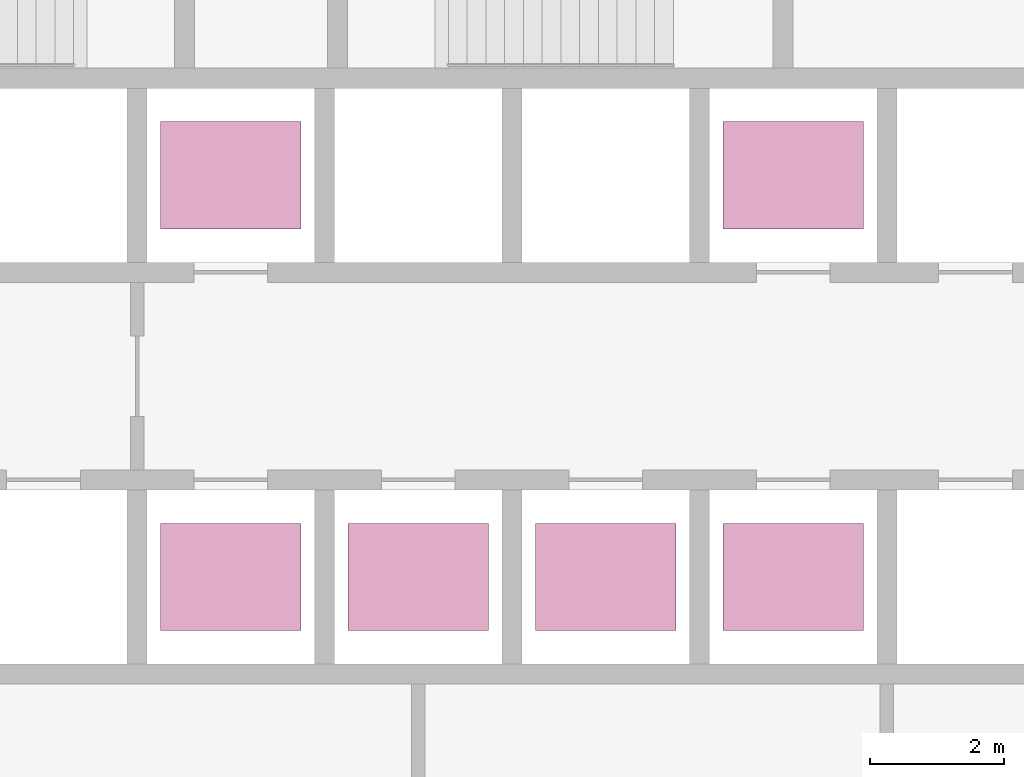
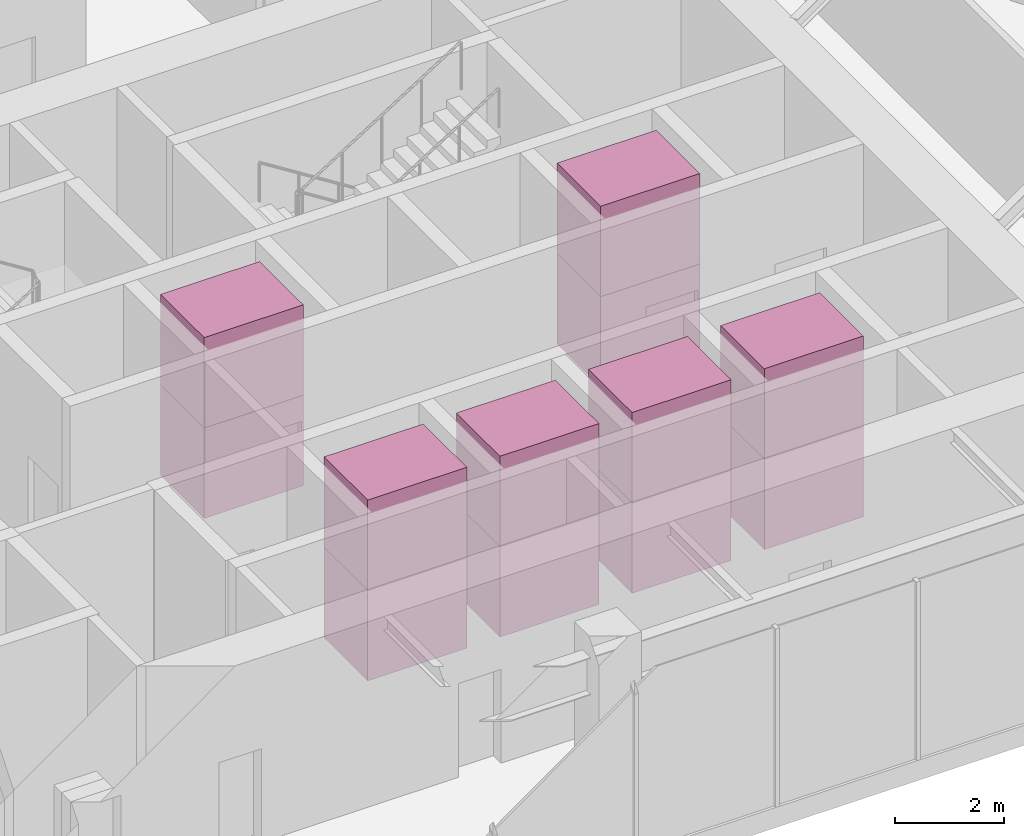
# One storey, part 23 of 23: 12 transport elements.
"""IFC4 building model written with IfcOpenShell, lengths in metres."""

import ifcopenshell
import ifcopenshell.guid

model = None  # the IFC model being written
_history = None  # IfcOwnerHistory: only IFC2X3 demands one
_inside = {}  # id of a spatial element -> (the spatial element, [elements in it])
_under = {}  # id of a project, library or spatial element -> (it, [spatial elements below it])
_declared = {}  # id of a project -> (the project, [libraries it declares])
_typed = {}  # id of a type object -> (the type object, [elements of that type])
_made_of = {}  # id of a material, layer set ... -> (it, [elements and type objects made of it])


def new_model(schema):
    """Start an empty IFC model of exactly this schema.

    Asked for "IFC4X3", IfcOpenShell would pick the latest addendum, in which some entities
    have other attributes; the version numbers below select the first issue.
    IFC2X3 requires an IfcOwnerHistory on every rooted entity: one is made here for all.
    """
    global model, _history
    if schema == "IFC4X3":
        model = ifcopenshell.file(schema_version=(4, 3, 0, 0))
    else:
        model = ifcopenshell.file(schema=schema)
    _inside.clear()
    _under.clear()
    _declared.clear()
    _typed.clear()
    _made_of.clear()
    _history = None
    if model.schema == "IFC2X3":
        org = make("IfcOrganization", Name="unknown")
        user = make(
            "IfcPersonAndOrganization",
            ThePerson=make("IfcPerson", FamilyName="unknown"),
            TheOrganization=org,
        )
        app = make(
            "IfcApplication",
            ApplicationDeveloper=org,
            Version="unknown",
            ApplicationFullName="unknown",
            ApplicationIdentifier="unknown",
        )
        _history = make(
            "IfcOwnerHistory",
            OwningUser=user,
            OwningApplication=app,
            ChangeAction="ADDED",
            CreationDate=0,
        )
    return model


def make(cls, **values):
    """One entity of the class cls with the attributes given. An attribute that is None is left unset."""
    return model.create_entity(
        cls, **{name: value for name, value in values.items() if value is not None}
    )


def rooted(cls, **values):
    """An entity with a GlobalId (a new one), such as an element, a storey or a relation."""
    return make(cls, GlobalId=ifcopenshell.guid.new(), OwnerHistory=_history, **values)


def si_unit(unit_type, name, prefix=None):
    """IfcSIUnit, for example si_unit("LENGTHUNIT", "METRE", prefix="MILLI")."""
    return make("IfcSIUnit", UnitType=unit_type, Prefix=prefix, Name=name)


def assignment(units):
    """IfcUnitAssignment: the units of a project."""
    return None if units is None else make("IfcUnitAssignment", Units=units)


def point(xyz):
    """IfcCartesianPoint."""
    return None if xyz is None else make("IfcCartesianPoint", Coordinates=xyz)


def direction(xyz):
    """IfcDirection."""
    return None if xyz is None else make("IfcDirection", DirectionRatios=xyz)


def frame(location, z_axis=None, x_axis=None):
    """IfcAxis2Placement3D, a coordinate frame: its origin and axes. An axis left out is left unset."""
    return make(
        "IfcAxis2Placement3D",
        Location=point(location),
        Axis=direction(z_axis),
        RefDirection=direction(x_axis),
    )


def frame_2d(location, x_axis=None):
    """IfcAxis2Placement2D, a coordinate frame in the plane: its origin and x axis."""
    return make(
        "IfcAxis2Placement2D", Location=point(location), RefDirection=direction(x_axis)
    )


def origin():
    """The frame at (0, 0, 0) with its axes left unset."""
    return frame((0.0, 0.0, 0.0))


def origin_2d():
    """The frame at (0, 0) in the plane with its x axis left unset."""
    return frame_2d((0.0, 0.0))


def place(relative_to, where):
    """IfcLocalPlacement: puts the frame where relative to a parent placement (None: the world)."""
    return make(
        "IfcLocalPlacement", PlacementRelTo=relative_to, RelativePlacement=where
    )


def context(
    kind, dimensions, precision=None, world=None, true_north=None, identifier=None
):
    """IfcGeometricRepresentationContext, for example the 3D "Model" context."""
    return make(
        "IfcGeometricRepresentationContext",
        ContextIdentifier=identifier,
        ContextType=kind,
        CoordinateSpaceDimension=dimensions,
        Precision=precision,
        WorldCoordinateSystem=world,
        TrueNorth=true_north,
    )


def subcontext(parent, identifier, kind, view, scale=None):
    """IfcGeometricRepresentationSubContext, for example "Body" below "Model"."""
    return make(
        "IfcGeometricRepresentationSubContext",
        ContextIdentifier=identifier,
        ContextType=kind,
        ParentContext=parent,
        TargetScale=scale,
        TargetView=view,
    )


def project(units=None, contexts=None):
    """IfcProject with its units and contexts."""
    return rooted(
        "IfcProject",
        Name="project",
        RepresentationContexts=contexts,
        UnitsInContext=assignment(units),
    )


def spatial(cls, under=None, at=None, **own):
    """A site, building, storey or space (cls), placed at a placement, below another one or the project."""
    s = rooted(cls, ObjectPlacement=at, **own)
    if under is not None:
        _under.setdefault(under.id(), (under, []))[1].append(s)
    return s


def profile(cls, at=None, kind="AREA", **sizes):
    """A parametric profile (cls). Its sizes go by their IFC names, for example OverallWidth=200.0."""
    return make(cls, ProfileType=kind, Position=at, **sizes)


def rectangle(**sizes):
    """IfcRectangleProfileDef."""
    return profile("IfcRectangleProfileDef", **sizes)


def extrude(swept, where, along, depth):
    """IfcExtrudedAreaSolid: the profile swept, set in the frame where, extruded along a direction by depth."""
    return make(
        "IfcExtrudedAreaSolid",
        SweptArea=swept,
        Position=where,
        ExtrudedDirection=direction(along),
        Depth=depth,
    )


def shape(context_of_items, identifier, shape_type, items):
    """IfcShapeRepresentation: the items that make up one representation, for example the "Body"."""
    return make(
        "IfcShapeRepresentation",
        ContextOfItems=context_of_items,
        RepresentationIdentifier=identifier,
        RepresentationType=shape_type,
        Items=items,
    )


def material(Name=None, Category=None):
    """IfcMaterial."""
    return make("IfcMaterial", Name=Name, Category=Category)


def made_of(thing, what):
    """Note that an element or type object is made of a material, layer set ...; save() writes the relation."""
    if what is not None:
        _made_of.setdefault(what.id(), (what, []))[1].append(thing)
    return thing


def type_object(cls, material=None, **own):
    """A type object (cls), such as IfcWallType, which elements share."""
    return made_of(rooted(cls, **own), material)


def element(
    cls,
    number,
    at=None,
    inside=None,
    cuts=None,
    type_object=None,
    material=None,
    context=None,
    identifier="Body",
    shape_type=None,
    held_by="IfcProductDefinitionShape",
    body=None,
    shapes=None,
    **own,
):
    """One element of the class cls, such as IfcWall. Its Tag is "e" and its number.

    at: its placement. inside: the storey or other place that contains it. cuts: it is an
    opening in that element (IfcRelVoidsElement). A single representation is given by context,
    identifier, shape_type and body (its items); several are given by shapes. held_by: the class
    of the entity that holds the representations. save() writes the other relations.
    """
    e = rooted(cls, Tag="e%d" % number, ObjectPlacement=at, **own)
    if body is not None:
        shapes = [shape(context, identifier, shape_type, body)]
    if shapes is not None:
        e.Representation = make(held_by, Representations=shapes)
    if inside is not None:
        _inside.setdefault(inside.id(), (inside, []))[1].append(e)
    if cuts is not None:
        rooted(
            "IfcRelVoidsElement", RelatingBuildingElement=cuts, RelatedOpeningElement=e
        )
    if type_object is not None:
        _typed.setdefault(type_object.id(), (type_object, []))[1].append(e)
    return made_of(e, material)


def aggregate(whole, parts):
    """IfcRelAggregates: a whole, such as a stair, and the parts it consists of."""
    return rooted("IfcRelAggregates", RelatingObject=whole, RelatedObjects=parts)


def save(model, path):
    """Write the relations noted so far, then the file.

    IfcRelAggregates (storeys below a building ...), IfcRelContainedInSpatialStructure (elements
    in a storey), IfcRelDefinesByType, IfcRelAssociatesMaterial and IfcRelDeclares: one each for
    every whole, place, type object, material and project.
    """
    for whole, parts in _under.values():
        aggregate(whole, parts)
    for where, things in _inside.values():
        rooted(
            "IfcRelContainedInSpatialStructure",
            RelatedElements=things,
            RelatingStructure=where,
        )
    for kind, things in _typed.values():
        rooted("IfcRelDefinesByType", RelatedObjects=things, RelatingType=kind)
    for what, things in _made_of.values():
        rooted("IfcRelAssociatesMaterial", RelatedObjects=things, RelatingMaterial=what)
    for by, libraries in _declared.values():
        rooted("IfcRelDeclares", RelatingContext=by, RelatedDefinitions=libraries)
    model.write(path)


model = new_model("IFC4")

# Units and contexts
model_context = context("Model", 3, precision=1e-05, world=origin(), true_north=direction((0.0, 1.0)))
body_context = subcontext(model_context, "Body", "Model", "MODEL_VIEW")
ifc_project = project(units=[si_unit("LENGTHUNIT", "METRE"), si_unit("AREAUNIT", "SQUARE_METRE"), si_unit("VOLUMEUNIT", "CUBIC_METRE"), si_unit("PLANEANGLEUNIT", "RADIAN"), si_unit("MASSUNIT", "GRAM", prefix="KILO")], contexts=[model_context])

# Site, building, storey
site_placement = place(None, origin())
site = spatial("IfcSite", under=ifc_project, at=site_placement, CompositionType="ELEMENT")
building_placement = place(site_placement, origin())
building = spatial("IfcBuilding", under=site, at=building_placement, Name="Firuza Gate Tower and Library", CompositionType="ELEMENT")
storey_placement = place(building_placement, frame((0.0, 0.0, 26.39990234375)))
storey = spatial("IfcBuildingStorey", under=building, at=storey_placement, Name="L05", CompositionType="ELEMENT", Elevation=26.39990234375)

# Transport elements
ifc_material = material(Name="Stainless steel and glass", Category="steel")
transport_element_type = type_object("IfcTransportElementType", Name="Low-rise lift car 2100x1600", PredefinedType="ELEVATOR", material=ifc_material)
for number, where, z_axis, x_axis, name in (
    (1, (74.64990234375, 70.300048828125, 0.000244140625), (0.0, 0.0, 1.0), (1.0, 0.0, 0.0), "Low-rise lift LR1"),
    (2, (74.64990234375, 70.300048828125, 2.025146484375), (0.0, 0.0, 1.0), (1.0, 0.0, 0.0), "Low-rise lift LR1"),
    (3, (77.449951171875, 70.300048828125, 0.000244140625), (0.0, 0.0, 1.0), (1.0, 0.0, 0.0), "Low-rise lift LR2"),
    (4, (77.449951171875, 70.300048828125, 2.025146484375), (0.0, 0.0, 1.0), (1.0, 0.0, 0.0), "Low-rise lift LR2"),
    (5, (80.25, 70.300048828125, 0.000244140625), (0.0, 0.0, 1.0), (1.0, 0.0, 0.0), "Low-rise lift LR3"),
    (6, (80.25, 70.300048828125, 2.025146484375), (0.0, 0.0, 1.0), (1.0, 0.0, 0.0), "Low-rise lift LR3"),
    (7, (74.64990234375, 76.300048828125, 0.000244140625), (0.0, 0.0, 1.0), (1.0, 0.0, 0.0), "Low-rise lift LR4"),
    (8, (74.64990234375, 76.300048828125, 2.025146484375), (0.0, 0.0, 1.0), (1.0, 0.0, 0.0), "Low-rise lift LR4"),
    (9, (83.050048828125, 70.300048828125, 0.000244140625), (0.0, 0.0, 1.0), (1.0, 0.0, 0.0), "Low-rise lift LR5"),
    (10, (83.050048828125, 70.300048828125, 2.025146484375), (0.0, 0.0, 1.0), (1.0, 0.0, 0.0), "Low-rise lift LR5"),
    (11, (83.050048828125, 76.300048828125, 0.000244140625), (0.0, 0.0, 1.0), (1.0, 0.0, 0.0), "Low-rise lift LR6"),
    (12, (83.050048828125, 76.300048828125, 2.025146484375), (0.0, 0.0, 1.0), (1.0, 0.0, 0.0), "Low-rise lift LR6"),
):
    element("IfcTransportElement", number, at=place(storey_placement, frame(where, z_axis=z_axis, x_axis=x_axis)), inside=storey, type_object=transport_element_type, Name=name, PredefinedType="ELEVATOR", context=body_context, shape_type="SweptSolid", body=[
        extrude(rectangle(XDim=2.10009765625, YDim=1.60009765625, at=origin_2d()), origin(), (0.0, 0.0, 1.0), 2.02490234375),
    ])

save(model, "model.ifc")
